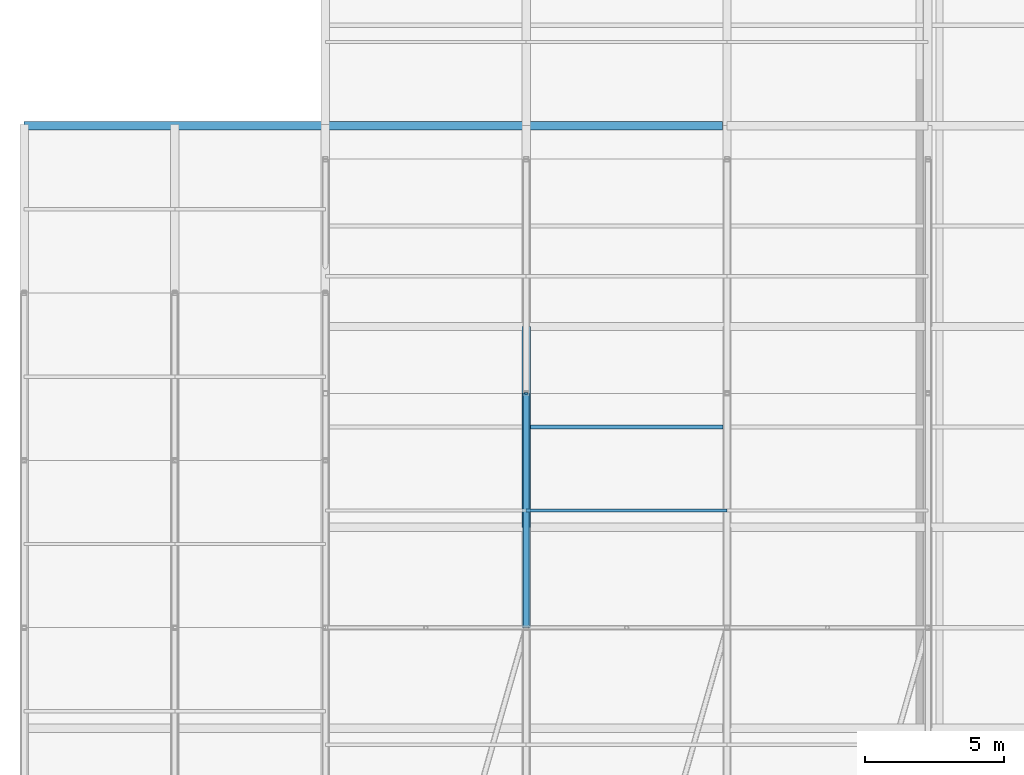
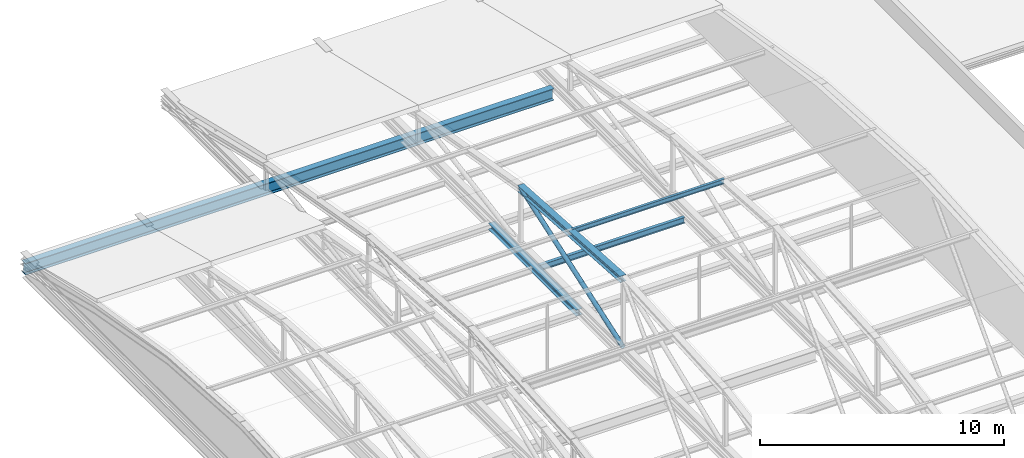
# One storey, part 36 of 76: 4 beams, 2 members.
"""IFC4 building model written with IfcOpenShell, lengths in metres."""

from ifc_helpers import new_model, si_unit, direction, frame, origin, origin_2d, place, context, subcontext, project, spatial, hollow_circle, i_section, extrude, material, material_profile, profile_set, type_object, element, save


model = new_model("IFC4")

# Units and contexts
model_context = context("Model", 3, precision=1e-05, world=origin(), true_north=direction((0.0, 1.0)))
body_context = subcontext(model_context, "Body", "Model", "MODEL_VIEW")
ifc_project = project(units=[si_unit("LENGTHUNIT", "METRE"), si_unit("AREAUNIT", "SQUARE_METRE"), si_unit("VOLUMEUNIT", "CUBIC_METRE"), si_unit("PLANEANGLEUNIT", "RADIAN"), si_unit("MASSUNIT", "GRAM", prefix="KILO")], contexts=[model_context])

# Site, building, storey
site_placement = place(None, origin())
site = spatial("IfcSite", under=ifc_project, at=site_placement, CompositionType="ELEMENT")
building_placement = place(site_placement, origin())
building = spatial("IfcBuilding", under=site, at=building_placement, Name="Zlatovets Crest Museum", CompositionType="ELEMENT")
storey_placement = place(building_placement, frame((0.0, 0.0, 17.10009765625)))
storey = spatial("IfcBuildingStorey", under=building, at=storey_placement, Name="L04", CompositionType="ELEMENT", Elevation=17.10009765625)

# Beams
ifc_material = material(Name="Structural steel S355J2", Category="steel")
ifc_material_profile_1 = material_profile(ifc_material, i_section(OverallWidth=0.300048828125, OverallDepth=0.31005859375, WebThickness=0.009033203125, FlangeThickness=0.015380859375, FilletRadius=0.027099609375, at=origin_2d()), Name="HEA 320")
ifc_profile_set_1 = profile_set([ifc_material_profile_1], Name="Structural steel S355J2")
beam_type_1 = type_object("IfcBeamType", Name="Beam_B-04", PredefinedType="BEAM", material=ifc_profile_set_1)
beam_1_placement = place(storey_placement, frame((14.39990234375, 79.199951171875, -0.375), z_axis=(0.0, 1.0, 0.0), x_axis=(-1.0, 0.0, 0.0)))
element("IfcBeam", 1, at=beam_1_placement, inside=storey, type_object=beam_type_1, Name="V4 L04 Grid Beam B-04", PredefinedType="BEAM", context=body_context, shape_type="SweptSolid", body=[
    extrude(i_section(OverallWidth=0.300048828125, OverallDepth=0.31005859375, WebThickness=0.009033203125, FlangeThickness=0.015380859375, FilletRadius=0.027099609375, at=origin_2d()), origin(), (0.0, 0.0, 1.0), 7.199951171875),
])
ifc_material_profile_2 = material_profile(ifc_material, i_section(OverallWidth=0.300048828125, OverallDepth=0.590087890625, WebThickness=0.012939453125, FlangeThickness=0.02490234375, FilletRadius=0.027099609375, at=origin_2d()), Name="HEA 600")
ifc_profile_set_2 = profile_set([ifc_material_profile_2], Name="Structural steel S355J2")
beam_type_2 = type_object("IfcBeamType", Name="Beam_B-07", PredefinedType="BEAM", material=ifc_profile_set_2)
beam_2_placement = place(storey_placement, frame((-3.60009765625, 93.60009765625, -0.570068359375), z_axis=(1.0, 0.0, 0.0), x_axis=(0.0, 1.0, 0.0)))
element("IfcBeam", 2, at=beam_2_placement, inside=storey, type_object=beam_type_2, Name="Cantilever Transfer Truss TT-3 Top Chord", PredefinedType="BEAM", context=body_context, shape_type="SweptSolid", body=[
    extrude(i_section(OverallWidth=0.300048828125, OverallDepth=0.590087890625, WebThickness=0.012939453125, FlangeThickness=0.02490234375, FilletRadius=0.027099609375, at=origin_2d()), origin(), (0.0, 0.0, 1.0), 25.0400390625),
])
ifc_material_profile_3 = material_profile(ifc_material, i_section(OverallWidth=0.14990234375, OverallDepth=0.300048828125, WebThickness=0.007080078125, FlangeThickness=0.0107421875, FilletRadius=0.014892578125, at=origin_2d()), Name="IPE 300")
ifc_profile_set_3 = profile_set([ifc_material_profile_3], Name="Structural steel S355J2")
beam_type_3 = type_object("IfcBeamType", Name="Beam_J-02", PredefinedType="JOIST", material=ifc_profile_set_3)
beam_3_placement = place(storey_placement, frame((14.550048828125, 82.800048828125, -0.3701171875), z_axis=(1.0, 0.0, 0.0), x_axis=(0.0, 1.0, 0.0)))
element("IfcBeam", 3, at=beam_3_placement, inside=storey, type_object=beam_type_3, Name="V4 L04 Composite Joist J-02", PredefinedType="JOIST", context=body_context, shape_type="SweptSolid", body=[
    extrude(i_section(OverallWidth=0.14990234375, OverallDepth=0.300048828125, WebThickness=0.007080078125, FlangeThickness=0.0107421875, FilletRadius=0.014892578125, at=origin_2d()), origin(), (0.0, 0.0, 1.0), 6.89990234375),
])
ifc_material_profile_4 = material_profile(ifc_material, i_section(OverallWidth=0.1201171875, OverallDepth=0.239990234375, WebThickness=0.006103515625, FlangeThickness=0.009765625, FilletRadius=0.014892578125, at=origin_2d()), Name="IPE 240")
ifc_profile_set_4 = profile_set([ifc_material_profile_4], Name="Structural steel S355J2")
beam_type_4 = type_object("IfcBeamType", Name="Beam_PR-01", PredefinedType="BEAM", material=ifc_profile_set_4)
beam_4_placement = place(storey_placement, frame((14.39990234375, 79.800048828125, 3.33203125), z_axis=(1.0, 0.0, 0.0), x_axis=(0.0, 1.0, 0.0)))
element("IfcBeam", 4, at=beam_4_placement, inside=storey, type_object=beam_type_4, Name="V4 Barrel Vault Longitudinal Purlin", PredefinedType="BEAM", context=body_context, shape_type="SweptSolid", body=[
    extrude(i_section(OverallWidth=0.1201171875, OverallDepth=0.239990234375, WebThickness=0.006103515625, FlangeThickness=0.009765625, FilletRadius=0.014892578125, at=origin_2d()), origin(), (0.0, 0.0, 1.0), 7.2001953125),
])

# Members
ifc_material_profile_5 = material_profile(ifc_material, i_section(OverallWidth=0.300048828125, OverallDepth=0.31005859375, WebThickness=0.009033203125, FlangeThickness=0.015380859375, FilletRadius=0.027099609375, at=origin_2d()), Name="HEA 320")
ifc_profile_set_5 = profile_set([ifc_material_profile_5], Name="Structural steel S355J2")
member_type_1 = type_object("IfcMemberType", Name="Member_TM-02", PredefinedType="RAFTER", material=ifc_profile_set_5)
member_1_placement = place(storey_placement, frame((14.39990234375, 75.60009765625, 3.5), z_axis=(0.0, 0.997971161643, -0.063667578324), x_axis=(-1.0, 0.0, 0.0)))
element("IfcMember", 5, at=member_1_placement, inside=storey, type_object=member_type_1, Name="V4 Art Nouveau Curved Vault Rib", PredefinedType="RAFTER", context=body_context, shape_type="SweptSolid", body=[
    extrude(i_section(OverallWidth=0.300048828125, OverallDepth=0.31005859375, WebThickness=0.009033203125, FlangeThickness=0.015380859375, FilletRadius=0.027099609375, at=origin_2d()), origin(), (0.0, 0.0, 1.0), 8.4169921875),
])
ifc_material_profile_6 = material_profile(ifc_material, hollow_circle(Radius=0.109619140625, WallThickness=0.010009765625, at=origin_2d()), Name="CHS 219.1x10.0")
ifc_profile_set_6 = profile_set([ifc_material_profile_6], Name="Structural steel S355J2")
member_type_2 = type_object("IfcMemberType", Name="Member_TM-05", PredefinedType="BRACE", material=ifc_profile_set_6)
member_2_placement = place(storey_placement, frame((14.39990234375, 75.60009765625, 0.079833984375), z_axis=(0.0, 0.945796934136, 0.324758617098), x_axis=(-1.0, 0.0, 0.0)))
element("IfcMember", 6, at=member_2_placement, inside=storey, type_object=member_type_2, Name="V4 Barrel Vault Web Diagonal", PredefinedType="BRACE", context=body_context, shape_type="SweptSolid", body=[
    extrude(hollow_circle(Radius=0.109619140625, WallThickness=0.010009765625, at=origin_2d()), origin(), (0.0, 0.0, 1.0), 8.88134765625),
])

save(model, "model.ifc")
